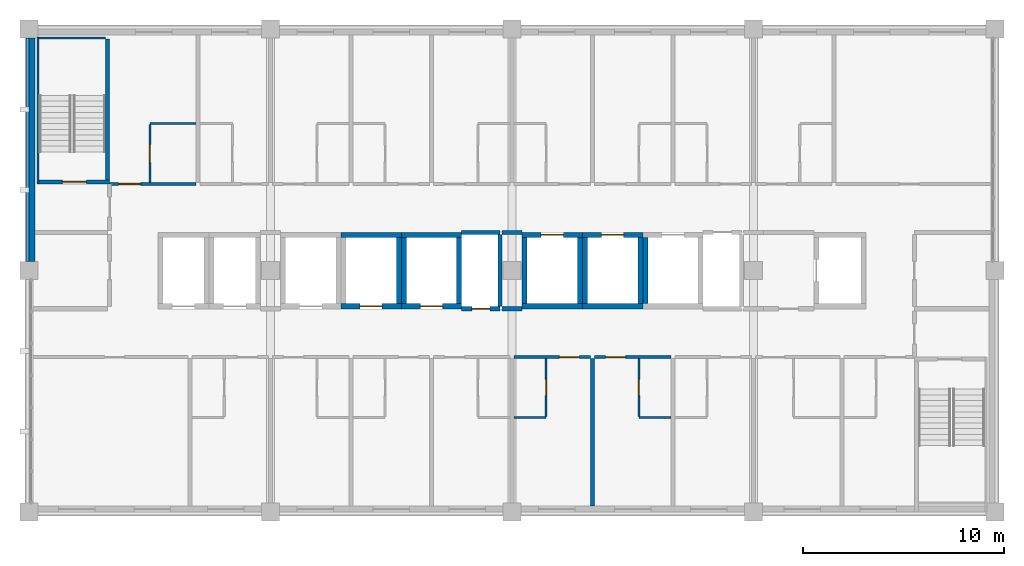
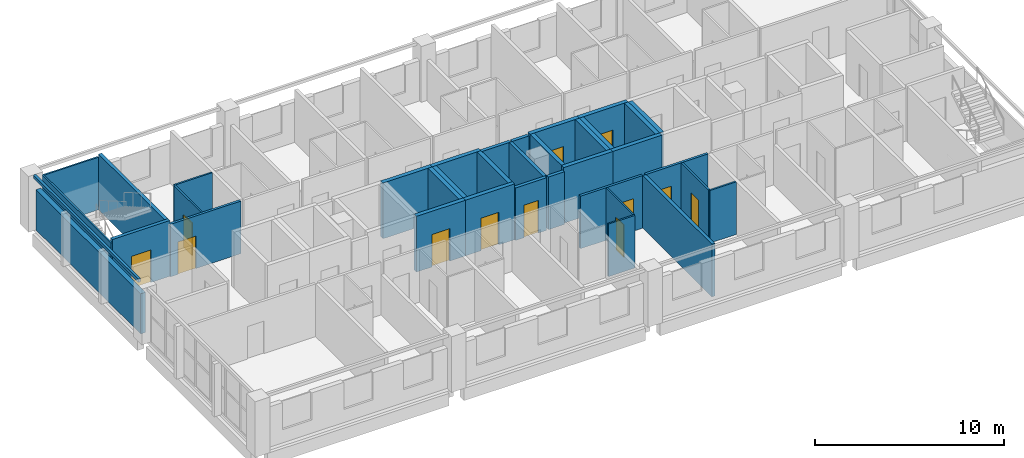
# One storey, part 7 of 11: 37 walls, 12 doors, 12 openings.
"""IFC4 building model written with IfcOpenShell, lengths in metres."""

from ifc_helpers import new_model, si_unit, direction, frame, frame_2d, origin, place, context, subcontext, project, spatial, rectangle, extrude, material, layer, layer_set, type_object, element, fill, save


model = new_model("IFC4")

# Units and contexts
model_context = context("Model", 3, precision=1e-05, world=origin(), true_north=direction((0.0, 1.0)))
body_context = subcontext(model_context, "Body", "Model", "MODEL_VIEW")
ifc_project = project(units=[si_unit("LENGTHUNIT", "METRE"), si_unit("AREAUNIT", "SQUARE_METRE"), si_unit("VOLUMEUNIT", "CUBIC_METRE"), si_unit("PLANEANGLEUNIT", "RADIAN"), si_unit("MASSUNIT", "GRAM", prefix="KILO")], contexts=[model_context])

# Site, building, storey
site_placement = place(None, origin())
site = spatial("IfcSite", under=ifc_project, at=site_placement, CompositionType="ELEMENT")
building_placement = place(site_placement, origin())
building = spatial("IfcBuilding", under=site, at=building_placement, Name="Lilac Gate Convention Centre", CompositionType="ELEMENT")
storey_placement = place(building_placement, frame((0.0, 0.0, 24.60009765625)))
storey = spatial("IfcBuildingStorey", under=building, at=storey_placement, Name="L05", CompositionType="ELEMENT", Elevation=24.60009765625)

# Walls
ifc_material_1 = material(Name="Concrete C60", Category="concrete")
ifc_layer_1 = layer(ifc_material_1, 0.10009765625)
ifc_layer_set_1 = layer_set([ifc_layer_1], Name="Concrete C60")
wall_type_1 = type_object("IfcWallType", Name="Core wall 100 C60", PredefinedType="SHEAR", material=ifc_layer_set_1)
wall_1_placement = place(storey_placement, frame((42.449951171875, 238.300048828125, 0.0), z_axis=(0.0, 0.0, 1.0), x_axis=(0.0, 1.0, 0.0)))
element("IfcWall", 1, at=wall_1_placement, inside=storey, type_object=wall_type_1, Name="CRW8 core wall TS-WX L05 1", PredefinedType="SHEAR", context=body_context, shape_type="SweptSolid", body=[
    extrude(rectangle(XDim=7.300048828125, YDim=0.10009765625, at=frame_2d((3.64990234375, 0.0))), origin(), (0.0, 0.0, 1.0), 3.39990234375),
])
wall_2_placement = place(storey_placement, frame((42.5, 245.550048828125, 0.0), z_axis=(0.0, 0.0, 1.0), x_axis=(1.0, 0.0, 0.0)))
element("IfcWall", 2, at=wall_2_placement, inside=storey, type_object=wall_type_1, Name="CRW8 core wall TS-WX L05 2", PredefinedType="SHEAR", context=body_context, shape_type="SweptSolid", body=[
    extrude(rectangle(XDim=3.300048828125, YDim=0.10009765625, at=frame_2d((1.64990234375, 0.0))), origin(), (0.0, 0.0, 1.0), 3.39990234375),
])

# Wall, opening, door
ifc_layer_2 = layer(ifc_material_1, 0.199951171875)
ifc_layer_set_2 = layer_set([ifc_layer_2], Name="Concrete C60")
wall_type_2 = type_object("IfcWallType", Name="Core wall 200 C60", PredefinedType="SHEAR", material=ifc_layer_set_2)
wall_3_placement = place(storey_placement, frame((42.5, 238.39990234375, 0.0), z_axis=(0.0, 0.0, 1.0), x_axis=(1.0, 0.0, 0.0)))
wall_3 = element("IfcWall", 3, at=wall_3_placement, inside=storey, type_object=wall_type_2, Name="CRW2 core wall TS-W L05 1", PredefinedType="SHEAR", context=body_context, shape_type="SweptSolid", body=[
    extrude(rectangle(XDim=3.5, YDim=0.199951171875, at=frame_2d((1.75, 0.0))), origin(), (0.0, 0.0, 1.0), 3.599853515625),
])
opening_1_placement = place(wall_3_placement, frame((1.14990234375, 0.0, 0.0)))
opening_1 = element("IfcOpeningElement", 4, at=opening_1_placement, cuts=wall_3, Name="Opening T04-055", PredefinedType="OPENING", context=body_context, shape_type="SweptSolid", body=[
    extrude(rectangle(XDim=1.199951171875, YDim=2.10009765625, at=frame_2d((0.60009765625, 1.050048828125))), frame((0.0, 0.10986328125, 0.0), z_axis=(0.0, -1.0, 0.0), x_axis=(1.0, 0.0, 0.0)), (0.0, 0.0, 1.0), 0.219970703125),
])
ifc_material_2 = material(Name="Steel Q235B", Category="steel")
door_type_1 = type_object("IfcDoorType", Name="Stair door 1200", OperationType="SINGLE_SWING_LEFT", PredefinedType="DOOR", material=ifc_material_2)
door_1_placement = place(opening_1_placement, origin())
door_1 = element("IfcDoor", 5, at=door_1_placement, inside=storey, type_object=door_type_1, Name="Stair door NW L05", OperationType="SINGLE_SWING_RIGHT", OverallHeight=2.10009765625, OverallWidth=1.199951171875, PredefinedType="DOOR", context=body_context, shape_type="SweptSolid", body=[
    extrude(rectangle(XDim=1.199951171875, YDim=2.10009765625, at=frame_2d((0.60009765625, 1.050048828125))), frame((0.0, 0.02490234375, 0.0), z_axis=(0.0, -1.0, 0.0), x_axis=(1.0, 0.0, 0.0)), (0.0, 0.0, 1.0), 0.050048828125),
])
fill(opening_1, door_1)

# Wall
wall_4_placement = place(storey_placement, frame((45.89990234375, 238.5, 0.0), z_axis=(0.0, 0.0, 1.0), x_axis=(0.0, 1.0, 0.0)))
element("IfcWall", 6, at=wall_4_placement, inside=storey, type_object=wall_type_2, Name="CRW2 core wall TS-W L05 2", PredefinedType="SHEAR", context=body_context, shape_type="SweptSolid", body=[
    extrude(rectangle(XDim=7.0, YDim=0.199951171875, at=frame_2d((3.5, 0.0))), origin(), (0.0, 0.0, 1.0), 3.599853515625),
])

# Wall, opening, door
ifc_layer_3 = layer(ifc_material_1, 0.25)
ifc_layer_set_3 = layer_set([ifc_layer_3], Name="Concrete C60")
wall_type_3 = type_object("IfcWallType", Name="Core wall 250 C60", PredefinedType="SHEAR", material=ifc_layer_set_3)
wall_5_placement = place(storey_placement, frame((57.5, 232.22509765625, 0.0), z_axis=(0.0, 0.0, 1.0), x_axis=(1.0, 0.0, 0.0)))
wall_5 = element("IfcWall", 7, at=wall_5_placement, inside=storey, type_object=wall_type_3, Name="CRW3 core wall TC L05 5", PredefinedType="SHEAR", context=body_context, shape_type="SweptSolid", body=[
    extrude(rectangle(XDim=3.0, YDim=0.25, at=frame_2d((1.5, 0.0))), origin(), (0.0, 0.0, 1.0), 3.599853515625),
])
opening_2_placement = place(wall_5_placement, frame((0.949951171875, 0.0, 0.0)))
opening_2 = element("IfcOpeningElement", 8, at=opening_2_placement, cuts=wall_5, Name="Opening T04-047", PredefinedType="OPENING", context=body_context, shape_type="SweptSolid", body=[
    extrude(rectangle(XDim=1.10009765625, YDim=2.10009765625, at=frame_2d((0.550048828125, 1.050048828125))), frame((0.0, 0.135009765625, 0.0), z_axis=(0.0, -1.0, 0.0), x_axis=(1.0, 0.0, 0.0)), (0.0, 0.0, 1.0), 0.27001953125),
])
ifc_material_3 = material(Name="Stainless steel 304", Category="steel")
door_type_2 = type_object("IfcDoorType", Name="Lift landing door 1100", OperationType="SLIDING_TO_LEFT", PredefinedType="DOOR", material=ifc_material_3)
door_2_placement = place(opening_2_placement, origin())
door_2 = element("IfcDoor", 9, at=door_2_placement, inside=storey, type_object=door_type_2, Name="Lift landing door TP2 L05", OperationType="SLIDING_TO_LEFT", OverallHeight=2.10009765625, OverallWidth=1.10009765625, PredefinedType="DOOR", context=body_context, shape_type="SweptSolid", body=[
    extrude(rectangle(XDim=1.10009765625, YDim=2.10009765625, at=frame_2d((0.550048828125, 1.050048828125))), frame((0.0, 0.02490234375, 0.0), z_axis=(0.0, -1.0, 0.0), x_axis=(1.0, 0.0, 0.0)), (0.0, 0.0, 1.0), 0.050048828125),
])
fill(opening_2, door_2)

# Walls
wall_6_placement = place(storey_placement, frame((57.5, 235.77490234375, 0.0), z_axis=(0.0, 0.0, 1.0), x_axis=(1.0, 0.0, 0.0)))
element("IfcWall", 10, at=wall_6_placement, inside=storey, type_object=wall_type_3, Name="CRW3 core wall TC L05 6", PredefinedType="SHEAR", context=body_context, shape_type="SweptSolid", body=[
    extrude(rectangle(XDim=3.0, YDim=0.25, at=frame_2d((1.5, 0.0))), origin(), (0.0, 0.0, 1.0), 3.599853515625),
])
wall_7_placement = place(storey_placement, frame((60.375, 232.35009765625, 0.0), z_axis=(0.0, 0.0, 1.0), x_axis=(0.0, 1.0, 0.0)))
element("IfcWall", 11, at=wall_7_placement, inside=storey, type_object=wall_type_3, Name="CRW3 core wall TC L05 8", PredefinedType="SHEAR", context=body_context, shape_type="SweptSolid", body=[
    extrude(rectangle(XDim=3.2998046875, YDim=0.25, at=frame_2d((1.64990234375, 0.0))), origin(), (0.0, 0.0, 1.0), 3.599853515625),
])

# Wall, opening, door
wall_8_placement = place(storey_placement, frame((60.5, 232.22509765625, 0.0), z_axis=(0.0, 0.0, 1.0), x_axis=(1.0, 0.0, 0.0)))
wall_8 = element("IfcWall", 12, at=wall_8_placement, inside=storey, type_object=wall_type_3, Name="CRW3 core wall TC L05 9", PredefinedType="SHEAR", context=body_context, shape_type="SweptSolid", body=[
    extrude(rectangle(XDim=3.0, YDim=0.25, at=frame_2d((1.5, 0.0))), origin(), (0.0, 0.0, 1.0), 3.599853515625),
])
opening_3_placement = place(wall_8_placement, frame((0.949951171875, 0.0, 0.0)))
opening_3 = element("IfcOpeningElement", 13, at=opening_3_placement, cuts=wall_8, Name="Opening T04-048", PredefinedType="OPENING", context=body_context, shape_type="SweptSolid", body=[
    extrude(rectangle(XDim=1.10009765625, YDim=2.10009765625, at=frame_2d((0.550048828125, 1.050048828125))), frame((0.0, 0.135009765625, 0.0), z_axis=(0.0, -1.0, 0.0), x_axis=(1.0, 0.0, 0.0)), (0.0, 0.0, 1.0), 0.27001953125),
])
door_3_placement = place(opening_3_placement, origin())
door_3 = element("IfcDoor", 14, at=door_3_placement, inside=storey, type_object=door_type_2, Name="Lift landing door TP3 L05", OperationType="SLIDING_TO_LEFT", OverallHeight=2.10009765625, OverallWidth=1.10009765625, PredefinedType="DOOR", context=body_context, shape_type="SweptSolid", body=[
    extrude(rectangle(XDim=1.10009765625, YDim=2.10009765625, at=frame_2d((0.550048828125, 1.050048828125))), frame((0.0, 0.02490234375, 0.0), z_axis=(0.0, -1.0, 0.0), x_axis=(1.0, 0.0, 0.0)), (0.0, 0.0, 1.0), 0.050048828125),
])
fill(opening_3, door_3)

# Walls
wall_9_placement = place(storey_placement, frame((60.5, 235.77490234375, 0.0), z_axis=(0.0, 0.0, 1.0), x_axis=(1.0, 0.0, 0.0)))
element("IfcWall", 15, at=wall_9_placement, inside=storey, type_object=wall_type_3, Name="CRW3 core wall TC L05 10", PredefinedType="SHEAR", context=body_context, shape_type="SweptSolid", body=[
    extrude(rectangle(XDim=3.0, YDim=0.25, at=frame_2d((1.5, 0.0))), origin(), (0.0, 0.0, 1.0), 3.599853515625),
])
for number, where, z_axis, x_axis, name in (
    (16, (60.625, 232.35009765625, 0.0), (0.0, 0.0, 1.0), (0.0, 1.0, 0.0), "CRW3 core wall TC L05 11"),
    (17, (63.375, 232.35009765625, 0.0), (0.0, 0.0, 1.0), (0.0, 1.0, 0.0), "CRW3 core wall TC L05 12"),
):
    element("IfcWall", number, at=place(storey_placement, frame(where, z_axis=z_axis, x_axis=x_axis)), inside=storey, type_object=wall_type_3, Name=name, PredefinedType="SHEAR", context=body_context, shape_type="SweptSolid", body=[
        extrude(rectangle(XDim=3.2998046875, YDim=0.25, at=frame_2d((1.64990234375, 0.0))), origin(), (0.0, 0.0, 1.0), 3.599853515625),
    ])
wall_10_placement = place(storey_placement, frame((66.5, 232.22509765625, 0.0), z_axis=(0.0, 0.0, 1.0), x_axis=(1.0, 0.0, 0.0)))
element("IfcWall", 18, at=wall_10_placement, inside=storey, type_object=wall_type_3, Name="CRW3 core wall TC L05 13", PredefinedType="SHEAR", context=body_context, shape_type="SweptSolid", body=[
    extrude(rectangle(XDim=3.0, YDim=0.25, at=frame_2d((1.5, 0.0))), origin(), (0.0, 0.0, 1.0), 3.599853515625),
])

# Wall, opening, door
wall_11_placement = place(storey_placement, frame((66.5, 235.77490234375, 0.0), z_axis=(0.0, 0.0, 1.0), x_axis=(1.0, 0.0, 0.0)))
wall_11 = element("IfcWall", 19, at=wall_11_placement, inside=storey, type_object=wall_type_3, Name="CRW3 core wall TC L05 14", PredefinedType="SHEAR", context=body_context, shape_type="SweptSolid", body=[
    extrude(rectangle(XDim=3.0, YDim=0.25, at=frame_2d((1.5, 0.0))), origin(), (0.0, 0.0, 1.0), 3.599853515625),
])
opening_4_placement = place(wall_11_placement, frame((0.949951171875, 0.0, 0.0)))
opening_4 = element("IfcOpeningElement", 20, at=opening_4_placement, cuts=wall_11, Name="Opening T04-049", PredefinedType="OPENING", context=body_context, shape_type="SweptSolid", body=[
    extrude(rectangle(XDim=1.10009765625, YDim=2.10009765625, at=frame_2d((0.550048828125, 1.050048828125))), frame((0.0, 0.135009765625, 0.0), z_axis=(0.0, -1.0, 0.0), x_axis=(1.0, 0.0, 0.0)), (0.0, 0.0, 1.0), 0.27001953125),
])
door_4_placement = place(opening_4_placement, origin())
door_4 = element("IfcDoor", 21, at=door_4_placement, inside=storey, type_object=door_type_2, Name="Lift landing door TP4 L05", OperationType="SLIDING_TO_LEFT", OverallHeight=2.10009765625, OverallWidth=1.10009765625, PredefinedType="DOOR", context=body_context, shape_type="SweptSolid", body=[
    extrude(rectangle(XDim=1.10009765625, YDim=2.10009765625, at=frame_2d((0.550048828125, 1.050048828125))), frame((0.0, 0.02490234375, 0.0), z_axis=(0.0, -1.0, 0.0), x_axis=(1.0, 0.0, 0.0)), (0.0, 0.0, 1.0), 0.050048828125),
])
fill(opening_4, door_4)

# Walls
for number, where, z_axis, x_axis, name in (
    (22, (66.625, 232.35009765625, 0.0), (0.0, 0.0, 1.0), (0.0, 1.0, 0.0), "CRW3 core wall TC L05 15"),
    (23, (69.375, 232.35009765625, 0.0), (0.0, 0.0, 1.0), (0.0, 1.0, 0.0), "CRW3 core wall TC L05 16"),
):
    element("IfcWall", number, at=place(storey_placement, frame(where, z_axis=z_axis, x_axis=x_axis)), inside=storey, type_object=wall_type_3, Name=name, PredefinedType="SHEAR", context=body_context, shape_type="SweptSolid", body=[
        extrude(rectangle(XDim=3.2998046875, YDim=0.25, at=frame_2d((1.64990234375, 0.0))), origin(), (0.0, 0.0, 1.0), 3.599853515625),
    ])
wall_12_placement = place(storey_placement, frame((69.5, 232.22509765625, 0.0), z_axis=(0.0, 0.0, 1.0), x_axis=(1.0, 0.0, 0.0)))
element("IfcWall", 24, at=wall_12_placement, inside=storey, type_object=wall_type_3, Name="CRW3 core wall TC L05 17", PredefinedType="SHEAR", context=body_context, shape_type="SweptSolid", body=[
    extrude(rectangle(XDim=3.0, YDim=0.25, at=frame_2d((1.5, 0.0))), origin(), (0.0, 0.0, 1.0), 3.599853515625),
])

# Wall, opening, door
wall_13_placement = place(storey_placement, frame((69.5, 235.77490234375, 0.0), z_axis=(0.0, 0.0, 1.0), x_axis=(1.0, 0.0, 0.0)))
wall_13 = element("IfcWall", 25, at=wall_13_placement, inside=storey, type_object=wall_type_3, Name="CRW3 core wall TC L05 18", PredefinedType="SHEAR", context=body_context, shape_type="SweptSolid", body=[
    extrude(rectangle(XDim=3.0, YDim=0.25, at=frame_2d((1.5, 0.0))), origin(), (0.0, 0.0, 1.0), 3.599853515625),
])
opening_5_placement = place(wall_13_placement, frame((0.949951171875, 0.0, 0.0)))
opening_5 = element("IfcOpeningElement", 26, at=opening_5_placement, cuts=wall_13, Name="Opening T04-050", PredefinedType="OPENING", context=body_context, shape_type="SweptSolid", body=[
    extrude(rectangle(XDim=1.10009765625, YDim=2.10009765625, at=frame_2d((0.550048828125, 1.050048828125))), frame((0.0, 0.135009765625, 0.0), z_axis=(0.0, -1.0, 0.0), x_axis=(1.0, 0.0, 0.0)), (0.0, 0.0, 1.0), 0.27001953125),
])
door_5_placement = place(opening_5_placement, origin())
door_5 = element("IfcDoor", 27, at=door_5_placement, inside=storey, type_object=door_type_2, Name="Lift landing door TP5 L05", OperationType="SLIDING_TO_LEFT", OverallHeight=2.10009765625, OverallWidth=1.10009765625, PredefinedType="DOOR", context=body_context, shape_type="SweptSolid", body=[
    extrude(rectangle(XDim=1.10009765625, YDim=2.10009765625, at=frame_2d((0.550048828125, 1.050048828125))), frame((0.0, 0.02490234375, 0.0), z_axis=(0.0, -1.0, 0.0), x_axis=(1.0, 0.0, 0.0)), (0.0, 0.0, 1.0), 0.050048828125),
])
fill(opening_5, door_5)

# Walls
for number, where, z_axis, x_axis, name in (
    (28, (69.625, 232.35009765625, 0.0), (0.0, 0.0, 1.0), (0.0, 1.0, 0.0), "CRW3 core wall TC L05 19"),
    (29, (72.375, 232.35009765625, 0.0), (0.0, 0.0, 1.0), (0.0, 1.0, 0.0), "CRW3 core wall TC L05 20"),
    (30, (72.625, 232.35009765625, 0.0), (0.0, 0.0, 1.0), (0.0, 1.0, 0.0), "CRW3 core wall TC L05 23"),
):
    element("IfcWall", number, at=place(storey_placement, frame(where, z_axis=z_axis, x_axis=x_axis)), inside=storey, type_object=wall_type_3, Name=name, PredefinedType="SHEAR", context=body_context, shape_type="SweptSolid", body=[
        extrude(rectangle(XDim=3.2998046875, YDim=0.25, at=frame_2d((1.64990234375, 0.0))), origin(), (0.0, 0.0, 1.0), 3.599853515625),
    ])

# Wall, opening, door
ifc_material_4 = material(Name="Gypsum board on steel stud", Category="steel")
ifc_layer_4 = layer(ifc_material_4, 0.14990234375)
ifc_layer_set_4 = layer_set([ifc_layer_4], Name="Gypsum board on steel stud")
wall_type_4 = type_object("IfcWallType", Name="Corridor wall 150", PredefinedType="PARTITIONING", material=ifc_layer_set_4)
wall_14_placement = place(storey_placement, frame((69.89990234375, 229.699951171875, 0.0), z_axis=(0.0, 0.0, 1.0), x_axis=(-1.0, 0.0, 0.0)))
wall_14 = element("IfcWall", 31, at=wall_14_placement, inside=storey, type_object=wall_type_4, Name="Corridor wall 150 front 0506", PredefinedType="PARTITIONING", context=body_context, shape_type="SweptSolid", body=[
    extrude(rectangle(XDim=3.7998046875, YDim=0.14990234375, at=frame_2d((1.89990234375, 0.0))), origin(), (0.0, 0.0, 1.0), 3.39990234375),
])
opening_6_placement = place(wall_14_placement, frame((0.550048828125, 0.0, 0.0)))
opening_6 = element("IfcOpeningElement", 32, at=opening_6_placement, cuts=wall_14, Name="Opening T04-017", PredefinedType="OPENING", context=body_context, shape_type="SweptSolid", body=[
    extrude(rectangle(XDim=1.0, YDim=2.10009765625, at=frame_2d((0.5, 1.050048828125))), frame((0.0, 0.0849609375, 0.0), z_axis=(0.0, -1.0, 0.0), x_axis=(1.0, 0.0, 0.0)), (0.0, 0.0, 1.0), 0.169921875),
])
ifc_material_5 = material(Name="Timber", Category="wood")
door_type_3 = type_object("IfcDoorType", Name="Guest room entrance door 1000", OperationType="SINGLE_SWING_LEFT", PredefinedType="DOOR", material=ifc_material_5)
door_6_placement = place(opening_6_placement, origin())
door_6 = element("IfcDoor", 33, at=door_6_placement, inside=storey, type_object=door_type_3, Name="Guest room door 0506", OperationType="SINGLE_SWING_LEFT", OverallHeight=2.10009765625, OverallWidth=1.0, PredefinedType="DOOR", context=body_context, shape_type="SweptSolid", body=[
    extrude(rectangle(XDim=1.0, YDim=2.10009765625, at=frame_2d((0.5, 1.050048828125))), frame((0.0, 0.02490234375, 0.0), z_axis=(0.0, -1.0, 0.0), x_axis=(1.0, 0.0, 0.0)), (0.0, 0.0, 1.0), 0.050048828125),
])
fill(opening_6, door_6)

wall_15_placement = place(storey_placement, frame((73.89990234375, 229.699951171875, 0.0), z_axis=(0.0, 0.0, 1.0), x_axis=(-1.0, 0.0, 0.0)))
wall_15 = element("IfcWall", 34, at=wall_15_placement, inside=storey, type_object=wall_type_4, Name="Corridor wall 150 front 0507", PredefinedType="PARTITIONING", context=body_context, shape_type="SweptSolid", body=[
    extrude(rectangle(XDim=3.7998046875, YDim=0.14990234375, at=frame_2d((1.89990234375, 0.0))), origin(), (0.0, 0.0, 1.0), 3.39990234375),
])
opening_7_placement = place(wall_15_placement, frame((2.25, 0.0, 0.0)))
opening_7 = element("IfcOpeningElement", 35, at=opening_7_placement, cuts=wall_15, Name="Opening T04-019", PredefinedType="OPENING", context=body_context, shape_type="SweptSolid", body=[
    extrude(rectangle(XDim=1.0, YDim=2.10009765625, at=frame_2d((0.5, 1.050048828125))), frame((0.0, 0.0849609375, 0.0), z_axis=(0.0, -1.0, 0.0), x_axis=(1.0, 0.0, 0.0)), (0.0, 0.0, 1.0), 0.169921875),
])
door_7_placement = place(opening_7_placement, origin())
door_7 = element("IfcDoor", 36, at=door_7_placement, inside=storey, type_object=door_type_3, Name="Guest room door 0507", OperationType="SINGLE_SWING_LEFT", OverallHeight=2.10009765625, OverallWidth=1.0, PredefinedType="DOOR", context=body_context, shape_type="SweptSolid", body=[
    extrude(rectangle(XDim=1.0, YDim=2.10009765625, at=frame_2d((0.5, 1.050048828125))), frame((0.0, 0.02490234375, 0.0), z_axis=(0.0, -1.0, 0.0), x_axis=(1.0, 0.0, 0.0)), (0.0, 0.0, 1.0), 0.050048828125),
])
fill(opening_7, door_7)

wall_16_placement = place(storey_placement, frame((46.0, 238.300048828125, 0.0), z_axis=(0.0, 0.0, 1.0), x_axis=(1.0, 0.0, 0.0)))
wall_16 = element("IfcWall", 37, at=wall_16_placement, inside=storey, type_object=wall_type_4, Name="Corridor wall 150 front 0511", PredefinedType="PARTITIONING", context=body_context, shape_type="SweptSolid", body=[
    extrude(rectangle(XDim=4.300048828125, YDim=0.14990234375, at=frame_2d((2.14990234375, 0.0))), origin(), (0.0, 0.0, 1.0), 3.39990234375),
])
opening_8_placement = place(wall_16_placement, frame((0.449951171875, 0.0, 0.0)))
opening_8 = element("IfcOpeningElement", 38, at=opening_8_placement, cuts=wall_16, Name="Opening T04-027", PredefinedType="OPENING", context=body_context, shape_type="SweptSolid", body=[
    extrude(rectangle(XDim=1.10009765625, YDim=2.10009765625, at=frame_2d((0.550048828125, 1.050048828125))), frame((0.0, 0.0849609375, 0.0), z_axis=(0.0, -1.0, 0.0), x_axis=(1.0, 0.0, 0.0)), (0.0, 0.0, 1.0), 0.169921875),
])
door_type_4 = type_object("IfcDoorType", Name="Accessible entrance door 1100", OperationType="SINGLE_SWING_LEFT", PredefinedType="DOOR", material=ifc_material_5)
door_8_placement = place(opening_8_placement, origin())
door_8 = element("IfcDoor", 39, at=door_8_placement, inside=storey, type_object=door_type_4, Name="Guest room door 0511", OperationType="SINGLE_SWING_LEFT", OverallHeight=2.10009765625, OverallWidth=1.10009765625, PredefinedType="DOOR", context=body_context, shape_type="SweptSolid", body=[
    extrude(rectangle(XDim=1.10009765625, YDim=2.10009765625, at=frame_2d((0.550048828125, 1.050048828125))), frame((0.0, 0.02490234375, 0.0), z_axis=(0.0, -1.0, 0.0), x_axis=(1.0, 0.0, 0.0)), (0.0, 0.0, 1.0), 0.050048828125),
])
fill(opening_8, door_8)

# Wall
ifc_layer_5 = layer(ifc_material_4, 0.10009765625)
ifc_layer_set_5 = layer_set([ifc_layer_5], Name="Gypsum board on steel stud")
wall_type_5 = type_object("IfcWallType", Name="En-suite wall 100", PredefinedType="PARTITIONING", material=ifc_layer_set_5)
wall_17_placement = place(storey_placement, frame((66.10009765625, 226.699951171875, 0.0), z_axis=(0.0, 0.0, 1.0), x_axis=(1.0, 0.0, 0.0)))
element("IfcWall", 40, at=wall_17_placement, inside=storey, type_object=wall_type_5, Name="En-suite wall 100 bath 0506", PredefinedType="PARTITIONING", context=body_context, shape_type="SweptSolid", body=[
    extrude(rectangle(XDim=1.599853515625, YDim=0.10009765625, at=frame_2d((0.7998046875, 0.0))), origin(), (0.0, 0.0, 1.0), 3.39990234375),
])

# Wall, opening, door
wall_18_placement = place(storey_placement, frame((67.699951171875, 229.625, 0.0), z_axis=(0.0, 0.0, 1.0), x_axis=(0.0, -1.0, 0.0)))
wall_18 = element("IfcWall", 41, at=wall_18_placement, inside=storey, type_object=wall_type_5, Name="En-suite wall 100 bath side 0506", PredefinedType="PARTITIONING", context=body_context, shape_type="SweptSolid", body=[
    extrude(rectangle(XDim=2.875, YDim=0.10009765625, at=frame_2d((1.4375, 0.0))), origin(), (0.0, 0.0, 1.0), 3.39990234375),
])
opening_9_placement = place(wall_18_placement, frame((1.03759765625, 0.0, 0.0)))
opening_9 = element("IfcOpeningElement", 42, at=opening_9_placement, cuts=wall_18, Name="Opening T04-018", PredefinedType="OPENING", context=body_context, shape_type="SweptSolid", body=[
    extrude(rectangle(XDim=0.800048828125, YDim=2.10009765625, at=frame_2d((0.39990234375, 1.050048828125))), frame((0.0, 0.06005859375, 0.0), z_axis=(0.0, -1.0, 0.0), x_axis=(1.0, 0.0, 0.0)), (0.0, 0.0, 1.0), 0.1201171875),
])
door_type_5 = type_object("IfcDoorType", Name="En-suite door 800", OperationType="SINGLE_SWING_LEFT", PredefinedType="DOOR", material=ifc_material_5)
door_9_placement = place(opening_9_placement, origin())
door_9 = element("IfcDoor", 43, at=door_9_placement, inside=storey, type_object=door_type_5, Name="En-suite door 0506", OperationType="SINGLE_SWING_LEFT", OverallHeight=2.10009765625, OverallWidth=0.800048828125, PredefinedType="DOOR", context=body_context, shape_type="SweptSolid", body=[
    extrude(rectangle(XDim=0.800048828125, YDim=2.10009765625, at=frame_2d((0.39990234375, 1.050048828125))), frame((0.0, 0.02490234375, 0.0), z_axis=(0.0, -1.0, 0.0), x_axis=(1.0, 0.0, 0.0)), (0.0, 0.0, 1.0), 0.050048828125),
])
fill(opening_9, door_9)

# Wall
wall_19_placement = place(storey_placement, frame((72.300048828125, 226.699951171875, 0.0), z_axis=(0.0, 0.0, 1.0), x_axis=(1.0, 0.0, 0.0)))
element("IfcWall", 44, at=wall_19_placement, inside=storey, type_object=wall_type_5, Name="En-suite wall 100 bath 0507", PredefinedType="PARTITIONING", context=body_context, shape_type="SweptSolid", body=[
    extrude(rectangle(XDim=1.599853515625, YDim=0.10009765625, at=frame_2d((0.7998046875, 0.0))), origin(), (0.0, 0.0, 1.0), 3.39990234375),
])

# Wall, opening, door
wall_20_placement = place(storey_placement, frame((72.300048828125, 226.75, 0.0), z_axis=(0.0, 0.0, 1.0), x_axis=(0.0, 1.0, 0.0)))
wall_20 = element("IfcWall", 45, at=wall_20_placement, inside=storey, type_object=wall_type_5, Name="En-suite wall 100 bath side 0507", PredefinedType="PARTITIONING", context=body_context, shape_type="SweptSolid", body=[
    extrude(rectangle(XDim=2.875, YDim=0.10009765625, at=frame_2d((1.4375, 0.0))), origin(), (0.0, 0.0, 1.0), 3.39990234375),
])
opening_10_placement = place(wall_20_placement, frame((1.03759765625, 0.0, 0.0)))
opening_10 = element("IfcOpeningElement", 46, at=opening_10_placement, cuts=wall_20, Name="Opening T04-020", PredefinedType="OPENING", context=body_context, shape_type="SweptSolid", body=[
    extrude(rectangle(XDim=0.800048828125, YDim=2.10009765625, at=frame_2d((0.39990234375, 1.050048828125))), frame((0.0, 0.06005859375, 0.0), z_axis=(0.0, -1.0, 0.0), x_axis=(1.0, 0.0, 0.0)), (0.0, 0.0, 1.0), 0.1201171875),
])
door_10_placement = place(opening_10_placement, origin())
door_10 = element("IfcDoor", 47, at=door_10_placement, inside=storey, type_object=door_type_5, Name="En-suite door 0507", OperationType="SINGLE_SWING_RIGHT", OverallHeight=2.10009765625, OverallWidth=0.800048828125, PredefinedType="DOOR", context=body_context, shape_type="SweptSolid", body=[
    extrude(rectangle(XDim=0.800048828125, YDim=2.10009765625, at=frame_2d((0.39990234375, 1.050048828125))), frame((0.0, 0.02490234375, 0.0), z_axis=(0.0, -1.0, 0.0), x_axis=(1.0, 0.0, 0.0)), (0.0, 0.0, 1.0), 0.050048828125),
])
fill(opening_10, door_10)

# Wall
wall_21_placement = place(storey_placement, frame((48.0, 241.300048828125, 0.0), z_axis=(0.0, 0.0, 1.0), x_axis=(1.0, 0.0, 0.0)))
element("IfcWall", 48, at=wall_21_placement, inside=storey, type_object=wall_type_5, Name="En-suite wall 100 bath 0511", PredefinedType="PARTITIONING", context=body_context, shape_type="SweptSolid", body=[
    extrude(rectangle(XDim=2.300048828125, YDim=0.10009765625, at=frame_2d((1.14990234375, 0.0))), origin(), (0.0, 0.0, 1.0), 3.39990234375),
])

# Wall, opening, door
wall_22_placement = place(storey_placement, frame((48.0, 238.375, 0.0), z_axis=(0.0, 0.0, 1.0), x_axis=(0.0, 1.0, 0.0)))
wall_22 = element("IfcWall", 49, at=wall_22_placement, inside=storey, type_object=wall_type_5, Name="En-suite wall 100 bath side 0511", PredefinedType="PARTITIONING", context=body_context, shape_type="SweptSolid", body=[
    extrude(rectangle(XDim=2.875, YDim=0.10009765625, at=frame_2d((1.4375, 0.0))), origin(), (0.0, 0.0, 1.0), 3.39990234375),
])
opening_11_placement = place(wall_22_placement, frame((0.987548828125, 0.0, 0.0)))
opening_11 = element("IfcOpeningElement", 50, at=opening_11_placement, cuts=wall_22, Name="Opening T04-028", PredefinedType="OPENING", context=body_context, shape_type="SweptSolid", body=[
    extrude(rectangle(XDim=0.89990234375, YDim=2.10009765625, at=frame_2d((0.449951171875, 1.050048828125))), frame((0.0, 0.06005859375, 0.0), z_axis=(0.0, -1.0, 0.0), x_axis=(1.0, 0.0, 0.0)), (0.0, 0.0, 1.0), 0.1201171875),
])
door_type_6 = type_object("IfcDoorType", Name="Accessible en-suite door 900", OperationType="SINGLE_SWING_LEFT", PredefinedType="DOOR", material=ifc_material_5)
door_11_placement = place(opening_11_placement, origin())
door_11 = element("IfcDoor", 51, at=door_11_placement, inside=storey, type_object=door_type_6, Name="En-suite door 0511", OperationType="SINGLE_SWING_LEFT", OverallHeight=2.10009765625, OverallWidth=0.89990234375, PredefinedType="DOOR", context=body_context, shape_type="SweptSolid", body=[
    extrude(rectangle(XDim=0.89990234375, YDim=2.10009765625, at=frame_2d((0.449951171875, 1.050048828125))), frame((0.0, 0.02490234375, 0.0), z_axis=(0.0, -1.0, 0.0), x_axis=(1.0, 0.0, 0.0)), (0.0, 0.0, 1.0), 0.050048828125),
])
fill(opening_11, door_11)

# Walls
ifc_layer_6 = layer(ifc_material_4, 0.199951171875)
ifc_layer_set_6 = layer_set([ifc_layer_6], Name="Gypsum board on steel stud")
wall_type_6 = type_object("IfcWallType", Name="Guest room party wall 200", PredefinedType="PARTITIONING", material=ifc_layer_set_6)
wall_23_placement = place(storey_placement, frame((70.0, 222.2998046875, 0.0), z_axis=(0.0, 0.0, 1.0), x_axis=(0.0, 1.0, 0.0)))
element("IfcWall", 52, at=wall_23_placement, inside=storey, type_object=wall_type_6, Name="Guest room party wall 200 party 70.0", PredefinedType="PARTITIONING", context=body_context, shape_type="SweptSolid", body=[
    extrude(rectangle(XDim=7.3251953125, YDim=0.199951171875, at=frame_2d((3.66259765625, 0.0))), origin(), (0.0, 0.0, 1.0), 3.39990234375),
])
ifc_material_6 = material(Name="Concrete C40 precast", Category="concrete")
ifc_layer_7 = layer(ifc_material_6, 0.1298828125)
ifc_material_7 = material(Name="Ochre mineral render")
ifc_layer_8 = layer(ifc_material_7, 0.02001953125)
ifc_layer_set_7 = layer_set([ifc_layer_7, ifc_layer_8], Name="Concrete C40 precast, Ochre mineral render")
wall_type_7 = type_object("IfcWallType", Name="Precast band ochre 150", PredefinedType="STANDARD", material=ifc_layer_set_7)
wall_24_placement = place(storey_placement, frame((41.925048828125, 245.550048828125, 3.39990234375), z_axis=(0.0, 0.0, 1.0), x_axis=(0.0, -1.0, 0.0)))
element("IfcWall", 53, at=wall_24_placement, inside=storey, type_object=wall_type_7, Name="Precast band W L05 1", PredefinedType="STANDARD", context=body_context, shape_type="SweptSolid", body=[
    extrude(rectangle(XDim=11.10009765625, YDim=0.14990234375, at=frame_2d((5.550048828125, 0.0))), origin(), (0.0, 0.0, 1.0), 0.199951171875),
])
ifc_layer_9 = layer(ifc_material_7, 0.02001953125)
ifc_layer_10 = layer(ifc_material_6, 0.06005859375)
ifc_material_8 = material(Name="Ventilated air cavity")
ifc_layer_11 = layer(ifc_material_8, 0.030029296875)
ifc_material_9 = material(Name="Mineral wool insulation")
ifc_layer_12 = layer(ifc_material_9, 0.1201171875)
ifc_material_10 = material(Name="Steel stud Q345 and gypsum lining", Category="steel")
ifc_layer_13 = layer(ifc_material_10, 0.070068359375)
ifc_layer_set_8 = layer_set([ifc_layer_9, ifc_layer_10, ifc_layer_11, ifc_layer_12, ifc_layer_13], Name="Ochre mineral render, Concrete C40 precast, Ventilated air cavity, Mineral wool insulation, Steel stud Q345 and gypsum lining")
wall_type_8 = type_object("IfcWallType", Name="Precast panel wall ochre 300", PredefinedType="STANDARD", material=ifc_layer_set_8)
wall_25_placement = place(storey_placement, frame((42.14990234375, 245.550048828125, 0.0), z_axis=(0.0, 0.0, 1.0), x_axis=(0.0, -1.0, 0.0)))
element("IfcWall", 54, at=wall_25_placement, inside=storey, type_object=wall_type_8, Name="External wall W L05 1", PredefinedType="STANDARD", context=body_context, shape_type="SweptSolid", body=[
    extrude(rectangle(XDim=11.10009765625, YDim=0.300048828125, at=frame_2d((5.550048828125, 0.0))), origin(), (0.0, 0.0, 1.0), 2.599853515625),
])

# Wall, opening, door
ifc_layer_14 = layer(ifc_material_4, 0.199951171875)
ifc_layer_set_9 = layer_set([ifc_layer_14], Name="Gypsum board on steel stud")
wall_type_9 = type_object("IfcWallType", Name="Riser and store wall 200", PredefinedType="PARTITIONING", material=ifc_layer_set_9)
wall_26_placement = place(storey_placement, frame((63.5, 232.10009765625, 0.0), z_axis=(0.0, 0.0, 1.0), x_axis=(1.0, 0.0, 0.0)))
wall_26 = element("IfcWall", 55, at=wall_26_placement, inside=storey, type_object=wall_type_9, Name="Riser and store wall 200 RS1-S", PredefinedType="PARTITIONING", context=body_context, shape_type="SweptSolid", body=[
    extrude(rectangle(XDim=1.89990234375, YDim=0.199951171875, at=frame_2d((0.949951171875, 0.0))), origin(), (0.0, 0.0, 1.0), 3.39990234375),
])
opening_12_placement = place(wall_26_placement, frame((0.5, 0.0, 0.0)))
opening_12 = element("IfcOpeningElement", 56, at=opening_12_placement, cuts=wall_26, Name="Opening T04-002", PredefinedType="OPENING", context=body_context, shape_type="SweptSolid", body=[
    extrude(rectangle(XDim=0.89990234375, YDim=2.10009765625, at=frame_2d((0.449951171875, 1.050048828125))), frame((0.0, 0.10986328125, 0.0), z_axis=(0.0, -1.0, 0.0), x_axis=(1.0, 0.0, 0.0)), (0.0, 0.0, 1.0), 0.219970703125),
])
door_type_7 = type_object("IfcDoorType", Name="Riser and store door 900", OperationType="SINGLE_SWING_LEFT", PredefinedType="DOOR", material=ifc_material_2)
door_12_placement = place(opening_12_placement, origin())
door_12 = element("IfcDoor", 57, at=door_12_placement, inside=storey, type_object=door_type_7, Name="Riser room door", OperationType="SINGLE_SWING_RIGHT", OverallHeight=2.10009765625, OverallWidth=0.89990234375, PredefinedType="DOOR", context=body_context, shape_type="SweptSolid", body=[
    extrude(rectangle(XDim=0.89990234375, YDim=2.10009765625, at=frame_2d((0.449951171875, 1.050048828125))), frame((0.0, 0.02490234375, 0.0), z_axis=(0.0, -1.0, 0.0), x_axis=(1.0, 0.0, 0.0)), (0.0, 0.0, 1.0), 0.050048828125),
])
fill(opening_12, door_12)

# Walls
wall_27_placement = place(storey_placement, frame((65.5, 232.10009765625, 0.0), z_axis=(0.0, 0.0, 1.0), x_axis=(1.0, 0.0, 0.0)))
element("IfcWall", 58, at=wall_27_placement, inside=storey, type_object=wall_type_9, Name="Riser and store wall 200 NICHE2-S", PredefinedType="PARTITIONING", context=body_context, shape_type="SweptSolid", body=[
    extrude(rectangle(XDim=1.0, YDim=0.199951171875, at=frame_2d((0.5, 0.0))), origin(), (0.0, 0.0, 1.0), 3.39990234375),
])
wall_28_placement = place(storey_placement, frame((63.5, 235.89990234375, 0.0), z_axis=(0.0, 0.0, 1.0), x_axis=(1.0, 0.0, 0.0)))
element("IfcWall", 59, at=wall_28_placement, inside=storey, type_object=wall_type_9, Name="Riser and store wall 200 RS1-N", PredefinedType="PARTITIONING", context=body_context, shape_type="SweptSolid", body=[
    extrude(rectangle(XDim=1.89990234375, YDim=0.199951171875, at=frame_2d((0.949951171875, 0.0))), origin(), (0.0, 0.0, 1.0), 3.39990234375),
])
wall_29_placement = place(storey_placement, frame((65.5, 235.89990234375, 0.0), z_axis=(0.0, 0.0, 1.0), x_axis=(1.0, 0.0, 0.0)))
element("IfcWall", 60, at=wall_29_placement, inside=storey, type_object=wall_type_9, Name="Riser and store wall 200 NICHE2-N", PredefinedType="PARTITIONING", context=body_context, shape_type="SweptSolid", body=[
    extrude(rectangle(XDim=1.0, YDim=0.199951171875, at=frame_2d((0.5, 0.0))), origin(), (0.0, 0.0, 1.0), 3.39990234375),
])
wall_30_placement = place(storey_placement, frame((65.39990234375, 232.199951171875, 0.0), z_axis=(0.0, 0.0, 1.0), x_axis=(0.0, 1.0, 0.0)))
element("IfcWall", 61, at=wall_30_placement, inside=storey, type_object=wall_type_9, Name="Riser and store wall 200 RS1-E", PredefinedType="PARTITIONING", context=body_context, shape_type="SweptSolid", body=[
    extrude(rectangle(XDim=3.60009765625, YDim=0.199951171875, at=frame_2d((1.800048828125, 0.0))), origin(), (0.0, 0.0, 1.0), 3.39990234375),
])

save(model, "model.ifc")
